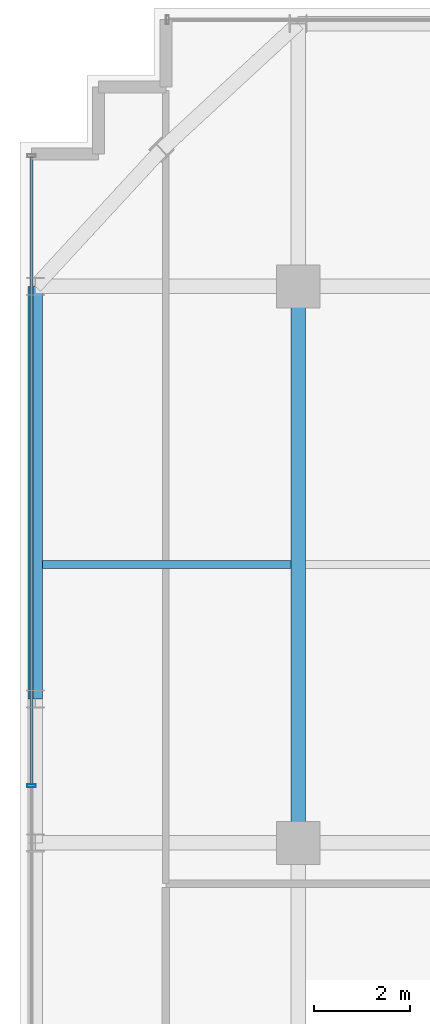
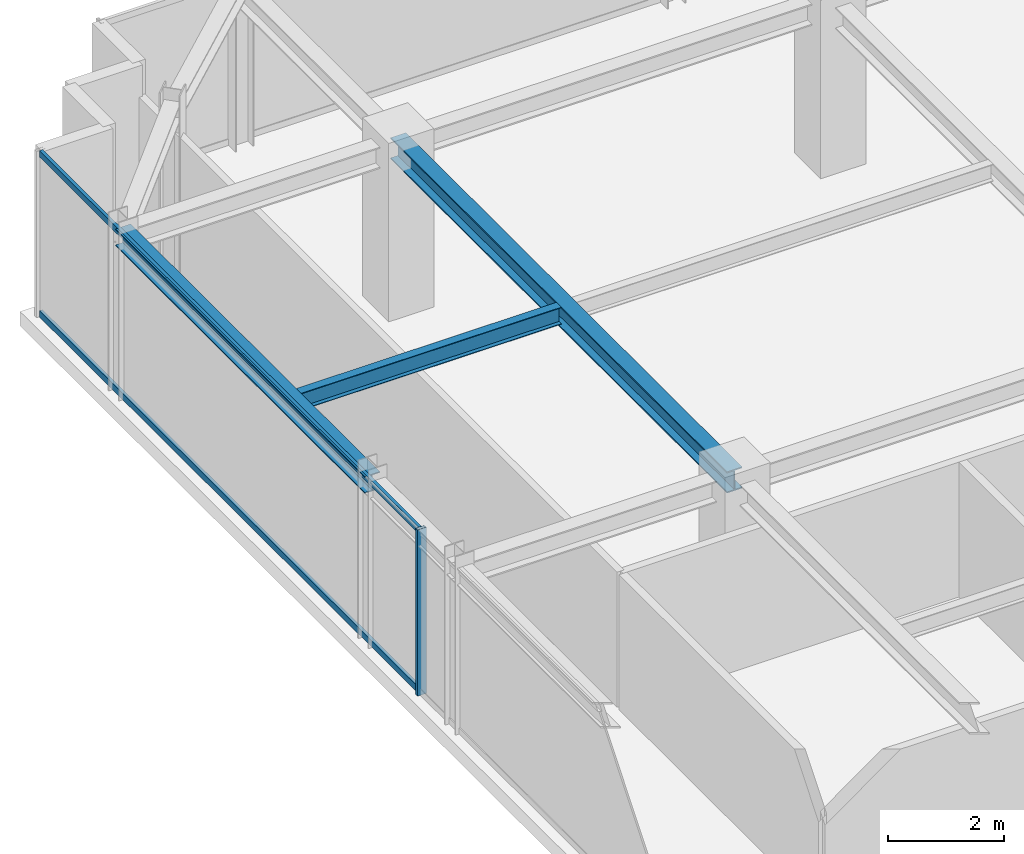
# One storey, part 15 of 32: 3 beams, 3 members, 1 element without a shape of its own.
"""IFC4 building model written with IfcOpenShell, lengths in metres."""

from ifc_helpers import new_model, si_unit, direction, frame, origin, origin_2d, place, context, subcontext, project, spatial, hollow_rectangle, i_section, extrude, source, transform, mapped, material, material_profile, profile_set, type_object, element, aggregate, save


model = new_model("IFC4")

# Units and contexts
model_context = context("Model", 3, precision=1e-05, world=origin(), true_north=direction((0.0, 1.0)))
body_context = subcontext(model_context, "Body", "Model", "MODEL_VIEW")
ifc_project = project(units=[si_unit("LENGTHUNIT", "METRE"), si_unit("AREAUNIT", "SQUARE_METRE"), si_unit("VOLUMEUNIT", "CUBIC_METRE"), si_unit("PLANEANGLEUNIT", "RADIAN"), si_unit("MASSUNIT", "GRAM", prefix="KILO")], contexts=[model_context])

# Site, building, storey
site_placement = place(None, origin())
site = spatial("IfcSite", under=ifc_project, at=site_placement, CompositionType="ELEMENT")
building_placement = place(site_placement, origin())
building = spatial("IfcBuilding", under=site, at=building_placement, Name="Nahalor Promenade Grand Hotel", CompositionType="ELEMENT")
storey_placement = place(building_placement, frame((0.0, 0.0, 330.949951171875)))
storey = spatial("IfcBuildingStorey", under=building, at=storey_placement, Name="L85", CompositionType="ELEMENT", Elevation=330.949951171875)

# Beams
ifc_material_1 = material(Name="Steel S355JR", Category="steel")
ifc_material_profile_1 = material_profile(ifc_material_1, i_section(OverallWidth=0.3, OverallDepth=0.45, WebThickness=0.014, FlangeThickness=0.026, at=origin_2d()), Name="HEB 450")
ifc_profile_set_1 = profile_set([ifc_material_profile_1], Name="Steel S355JR")
beam_type_1 = type_object("IfcBeamType", Name="Beam-Girder-HEB450", PredefinedType="BEAM", material=ifc_profile_set_1)
shared_shape_1 = source(origin(), body_context, "Body", "SweptSolid", [
    extrude(i_section(OverallWidth=0.3, OverallDepth=0.45, WebThickness=0.014, FlangeThickness=0.026, at=origin_2d()), origin(), (0.0, 0.0, 1.0), 11.60009765625),
])
beam_1_placement = place(storey_placement, frame((-17.0, 5.39990234375, 3.275146484375), z_axis=(0.0, 1.0, 0.0), x_axis=(-1.0, 0.0, 0.0)))
element("IfcBeam", 1, at=beam_1_placement, inside=storey, type_object=beam_type_1, Name="BM-L85-GY-0-3", PredefinedType="BEAM", context=body_context, shape_type="MappedRepresentation", body=[
    mapped(shared_shape_1, transform((0.0, 0.0, 0.0), scale=1.0)),
])
ifc_material_profile_2 = material_profile(ifc_material_1, i_section(OverallWidth=0.3, OverallDepth=0.36, WebThickness=0.0125, FlangeThickness=0.0225, at=origin_2d()), Name="HEB 360")
ifc_profile_set_2 = profile_set([ifc_material_profile_2], Name="Steel S355JR")
beam_type_2 = type_object("IfcBeamType", Name="Beam-Spandrel-HEB360", PredefinedType="SPANDREL", material=ifc_profile_set_2)
shared_shape_2 = source(origin(), body_context, "Body", "SweptSolid", [
    extrude(i_section(OverallWidth=0.3, OverallDepth=0.36, WebThickness=0.0125, FlangeThickness=0.0225, at=origin_2d()), origin(), (0.0, 0.0, 1.0), 8.60009765625),
])
beam_2_placement = place(storey_placement, frame((-22.47998046875, 8.39990234375, 3.320068359375), z_axis=(0.0, 1.0, 0.0), x_axis=(-1.0, 0.0, 0.0)))
element("IfcBeam", 2, at=beam_2_placement, inside=storey, type_object=beam_type_2, Name="BM-L85-SP-W-4", PredefinedType="SPANDREL", context=body_context, shape_type="MappedRepresentation", body=[
    mapped(shared_shape_2, transform((0.0, 0.0, 0.0), scale=1.0)),
])
ifc_material_profile_3 = material_profile(ifc_material_1, i_section(OverallWidth=0.17, OverallDepth=0.36, WebThickness=0.008, FlangeThickness=0.0127, at=origin_2d()), Name="IPE 360")
ifc_profile_set_3 = profile_set([ifc_material_profile_3], Name="Steel S355JR")
beam_type_3 = type_object("IfcBeamType", Name="Beam-Joist-IPE360", PredefinedType="JOIST", material=ifc_profile_set_3)
shared_shape_3 = source(origin(), body_context, "Body", "SweptSolid", [
    extrude(i_section(OverallWidth=0.17, OverallDepth=0.36, WebThickness=0.008, FlangeThickness=0.0127, at=origin_2d()), origin(), (0.0, 0.0, 1.0), 5.18017578125),
])
beam_3_placement = place(storey_placement, frame((-22.330078125, 11.199951171875, 3.320068359375), z_axis=(1.0, 0.0, 0.0), x_axis=(0.0, 1.0, 0.0)))
element("IfcBeam", 3, at=beam_3_placement, inside=storey, type_object=beam_type_3, Name="BM-L85-JSW-1-0", PredefinedType="JOIST", context=body_context, shape_type="MappedRepresentation", body=[
    mapped(shared_shape_3, transform((0.0, 0.0, 0.0), scale=1.0)),
])

# Curtain wall, members
ifc_material_2 = material(Name="Anodised Bronze Aluminium EN AW-6063 T6", Category="aluminium")
curtain_wall_type = type_object("IfcCurtainWallType", Name="CW2 Typical Hotel Flush Bronze Unitised Curtain Wall", PredefinedType="USERDEFINED", material=ifc_material_2)
curtain_wall_placement = place(storey_placement, origin())
curtain_wall = element("IfcCurtainWall", 4, at=curtain_wall_placement, inside=storey, type_object=curtain_wall_type, Name="L85 Curtain Wall CW-L85-W-1", ObjectType="UNITISED_CURTAIN_WALL", PredefinedType="USERDEFINED")
ifc_material_profile_4 = material_profile(ifc_material_2, hollow_rectangle(XDim=0.065, YDim=0.13, WallThickness=0.004, at=origin_2d()), Name="CWT 65x130x4")
ifc_profile_set_4 = profile_set([ifc_material_profile_4], Name="Anodised Bronze Aluminium EN AW-6063 T6")
member_type_1 = type_object("IfcMemberType", Name="CWT2 Typical Bronze Transom 65x130", PredefinedType="USERDEFINED", material=ifc_profile_set_4)
shared_shape_4 = source(origin(), body_context, "Body", "SweptSolid", [
    extrude(hollow_rectangle(XDim=0.065, YDim=0.13, WallThickness=0.004, at=origin_2d()), origin(), (0.0, 0.0, 1.0), 13.075927734375),
])
member_1_placement = place(storey_placement, frame((-22.56005859375, 6.619140625, 0.06494140625), z_axis=(0.0, 1.0, 0.0), x_axis=(-1.0, 0.0, 0.0)))
member_1 = element("IfcMember", 5, at=member_1_placement, type_object=member_type_1, Name="CW-L85-W-1 Transom 2-0", ObjectType="TRANSOM", PredefinedType="USERDEFINED", context=body_context, shape_type="MappedRepresentation", body=[
    mapped(shared_shape_4, transform((0.0, 0.0, 0.0), scale=1.0)),
])
member_2_placement = place(storey_placement, frame((-22.56005859375, 6.619140625, 3.43505859375), z_axis=(0.0, 1.0, 0.0), x_axis=(-1.0, 0.0, 0.0)))
member_2 = element("IfcMember", 6, at=member_2_placement, type_object=member_type_1, Name="CW-L85-W-1 Transom 2-1", ObjectType="TRANSOM", PredefinedType="USERDEFINED", context=body_context, shape_type="MappedRepresentation", body=[
    mapped(shared_shape_4, transform((0.0, 0.0, 0.0), scale=1.0)),
])
ifc_material_profile_5 = material_profile(ifc_material_2, hollow_rectangle(XDim=0.065, YDim=0.18, WallThickness=0.004, at=origin_2d()), Name="CWM 65x180x4")
ifc_profile_set_5 = profile_set([ifc_material_profile_5], Name="Anodised Bronze Aluminium EN AW-6063 T6")
member_type_2 = type_object("IfcMemberType", Name="CWM2 Typical Bronze Mullion 65x180", PredefinedType="MULLION", material=ifc_profile_set_5)
shared_shape_5 = source(origin(), body_context, "Body", "SweptSolid", [
    extrude(hollow_rectangle(XDim=0.065, YDim=0.18, WallThickness=0.004, at=origin_2d()), origin(), (0.0, 0.0, 1.0), 3.5),
])
member_3_placement = place(storey_placement, frame((-22.56005859375, 6.586669921875, 0.0), z_axis=(0.0, 0.0, 1.0), x_axis=(0.0, 1.0, 0.0)))
member_3 = element("IfcMember", 7, at=member_3_placement, type_object=member_type_2, Name="CW-L85-W-1 Mullion 2", PredefinedType="MULLION", context=body_context, shape_type="MappedRepresentation", body=[
    mapped(shared_shape_5, transform((0.0, 0.0, 0.0), scale=1.0)),
])
aggregate(curtain_wall, [member_3, member_1, member_2])

save(model, "model.ifc")
